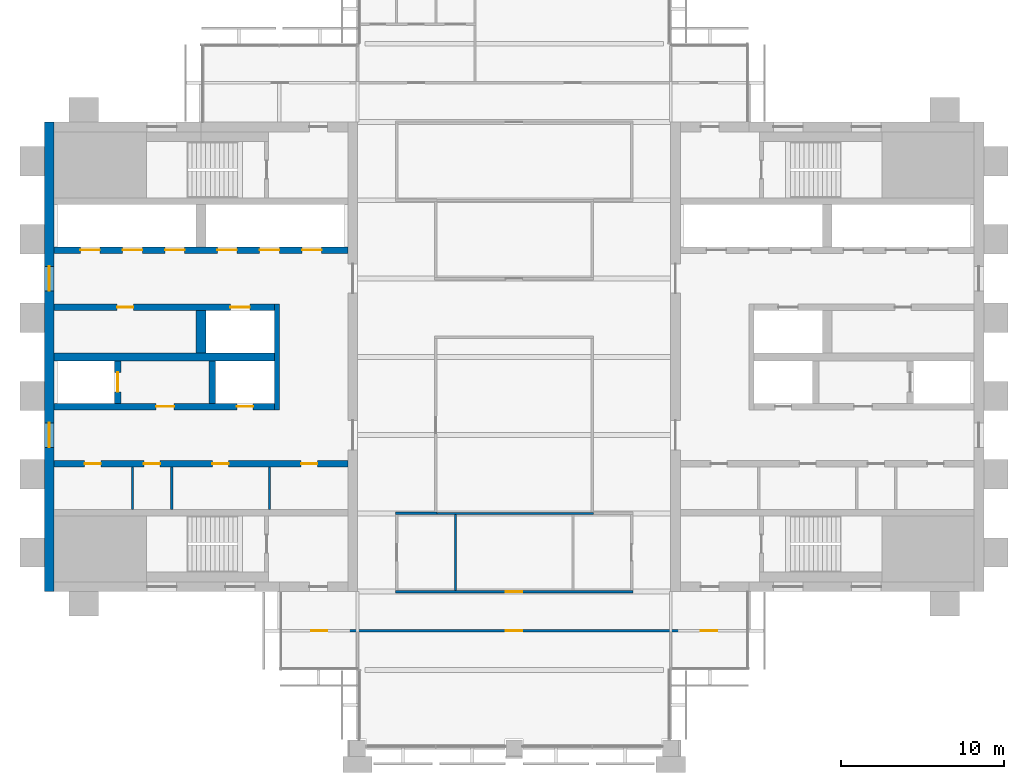
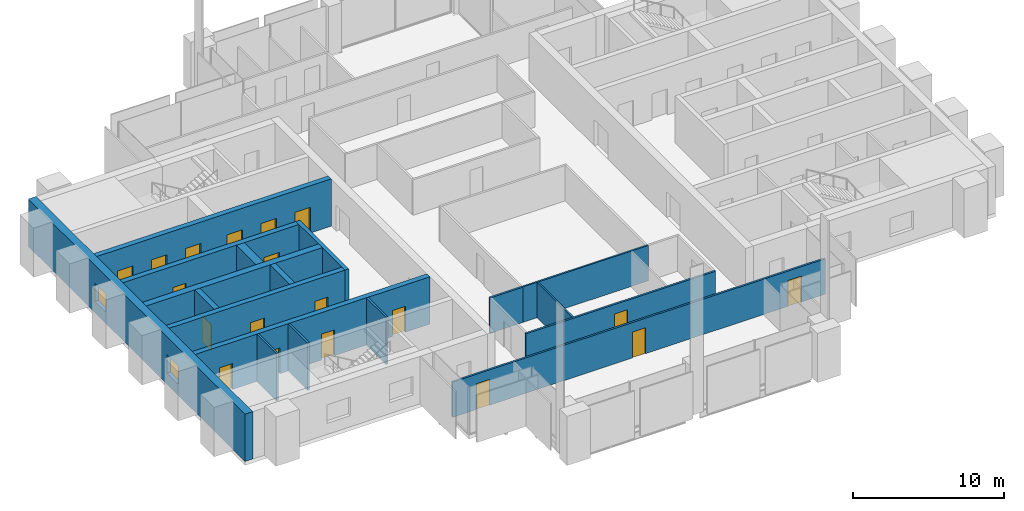
# One storey, part 8 of 12: 19 doors, 18 walls, 2 windows, 21 openings.
"""IFC4 building model written with IfcOpenShell, lengths in metres."""

from ifc_helpers import new_model, si_unit, direction, frame, frame_2d, origin, place, context, subcontext, project, spatial, rectangle, extrude, material, layer, layer_set, type_object, element, fill, save


model = new_model("IFC4")

# Units and contexts
model_context = context("Model", 3, precision=1e-05, world=origin(), true_north=direction((0.0, 1.0)))
body_context = subcontext(model_context, "Body", "Model", "MODEL_VIEW")
ifc_project = project(units=[si_unit("LENGTHUNIT", "METRE"), si_unit("AREAUNIT", "SQUARE_METRE"), si_unit("VOLUMEUNIT", "CUBIC_METRE"), si_unit("PLANEANGLEUNIT", "RADIAN"), si_unit("MASSUNIT", "GRAM", prefix="KILO")], contexts=[model_context])

# Site, building, storey
site_placement = place(None, origin())
site = spatial("IfcSite", under=ifc_project, at=site_placement, CompositionType="ELEMENT")
building_placement = place(site_placement, origin())
building = spatial("IfcBuilding", under=site, at=building_placement, Name="Baori Bourse Tower", CompositionType="ELEMENT")
storey_placement = place(building_placement, frame((0.0, 0.0, 282.300048828125)))
storey = spatial("IfcBuildingStorey", under=building, at=storey_placement, Name="L61", CompositionType="ELEMENT", Elevation=282.300048828125)

# Walls
ifc_material_1 = material(Name="Blockwork partition", Category="masonry")
ifc_layer_1 = layer(ifc_material_1, 0.14990234375)
ifc_layer_set_1 = layer_set([ifc_layer_1], Name="Core partition 150")
wall_type_1 = type_object("IfcWallType", Name="Core partition 150", PredefinedType="PARTITIONING", material=ifc_layer_set_1)
for number, where, z_axis, x_axis, name in (
    (1, (5.39990234375, 14.64990234375, 0.0), (0.0, 0.0, 1.0), (0.0, 1.0, 0.0), "Partition wall W09"),
    (2, (7.800048828125, 14.64990234375, 0.0), (0.0, 0.0, 1.0), (0.0, 1.0, 0.0), "Partition wall W10"),
    (3, (13.800048828125, 14.64990234375, 0.0), (0.0, 0.0, 1.0), (0.0, 1.0, 0.0), "Partition wall W11"),
):
    element("IfcWall", number, at=place(storey_placement, frame(where, z_axis=z_axis, x_axis=x_axis)), inside=storey, type_object=wall_type_1, Name=name, PredefinedType="PARTITIONING", context=body_context, shape_type="SweptSolid", body=[
        extrude(rectangle(XDim=2.60009765625, YDim=0.14990234375, at=frame_2d((1.300048828125, 0.0))), origin(), (0.0, 0.0, 1.0), 3.83984375),
    ])

# Wall, openings, windows
ifc_material_2 = material(Name="Concrete f'c 40 MPa", Category="concrete")
ifc_layer_2 = layer(ifc_material_2, 0.60009765625)
ifc_layer_set_2 = layer_set([ifc_layer_2], Name="Core wall 600 f'c 40")
wall_type_2 = type_object("IfcWallType", Name="Core wall 600 f'c 40", PredefinedType="SHEAR", material=ifc_layer_set_2)
wall_1_placement = place(storey_placement, frame((0.300048828125, 9.60009765625, 0.0), z_axis=(0.0, 0.0, 1.0), x_axis=(0.0, 1.0, 0.0)))
wall_1 = element("IfcWall", 4, at=wall_1_placement, inside=storey, type_object=wall_type_2, Name="Core wall W01", PredefinedType="SHEAR", context=body_context, shape_type="SweptSolid", body=[
    extrude(rectangle(XDim=28.7998046875, YDim=0.60009765625, at=frame_2d((14.39990234375, 0.0))), origin(), (0.0, 0.0, 1.0), 3.83984375),
])
opening_1_placement = place(wall_1_placement, frame((8.85009765625, 0.0, 0.89990234375)))
opening_1 = element("IfcOpeningElement", 5, at=opening_1_placement, cuts=wall_1, Name="Opening L61-KW101", PredefinedType="OPENING", context=body_context, shape_type="SweptSolid", body=[
    extrude(rectangle(XDim=1.5, YDim=1.5, at=frame_2d((0.75, 0.75))), frame((0.0, 0.31005859375, 0.0), z_axis=(0.0, -1.0, 0.0), x_axis=(1.0, 0.0, 0.0)), (0.0, 0.0, 1.0), 0.6201171875),
])
opening_2_placement = place(wall_1_placement, frame((18.449951171875, 0.0, 0.89990234375)))
opening_2 = element("IfcOpeningElement", 6, at=opening_2_placement, cuts=wall_1, Name="Opening L61-KW102", PredefinedType="OPENING", context=body_context, shape_type="SweptSolid", body=[
    extrude(rectangle(XDim=1.5, YDim=1.5, at=frame_2d((0.75, 0.75))), frame((0.0, 0.31005859375, 0.0), z_axis=(0.0, -1.0, 0.0), x_axis=(1.0, 0.0, 0.0)), (0.0, 0.0, 1.0), 0.6201171875),
])
ifc_material_3 = material(Name="Pale anodised aluminium", Category="aluminium")
window_type = type_object("IfcWindowType", Name="Lobby window 1500 x 1500", PartitioningType="SINGLE_PANEL", PredefinedType="WINDOW", material=ifc_material_3)
window_1_placement = place(opening_1_placement, origin())
window_1 = element("IfcWindow", 7, at=window_1_placement, inside=storey, type_object=window_type, Name="Outer wall window W L61 1", OverallHeight=1.5, OverallWidth=1.5, PartitioningType="SINGLE_PANEL", PredefinedType="WINDOW", context=body_context, shape_type="SweptSolid", body=[
    extrude(rectangle(XDim=1.5, YDim=1.5, at=frame_2d((0.75, 0.75))), frame((0.0, 0.030029296875, 0.0), z_axis=(0.0, -1.0, 0.0), x_axis=(1.0, 0.0, 0.0)), (0.0, 0.0, 1.0), 0.06005859375),
])
fill(opening_1, window_1)
window_2_placement = place(opening_2_placement, origin())
window_2 = element("IfcWindow", 8, at=window_2_placement, inside=storey, type_object=window_type, Name="Outer wall window W L61 2", OverallHeight=1.5, OverallWidth=1.5, PartitioningType="SINGLE_PANEL", PredefinedType="WINDOW", context=body_context, shape_type="SweptSolid", body=[
    extrude(rectangle(XDim=1.5, YDim=1.5, at=frame_2d((0.75, 0.75))), frame((0.0, 0.030029296875, 0.0), z_axis=(0.0, -1.0, 0.0), x_axis=(1.0, 0.0, 0.0)), (0.0, 0.0, 1.0), 0.06005859375),
])
fill(opening_2, window_2)

# Wall, openings, doors
ifc_material_4 = material(Name="Gypsum board partition")
ifc_layer_3 = layer(ifc_material_4, 0.14990234375)
ifc_layer_set_3 = layer_set([ifc_layer_3], Name="Corridor partition 150")
wall_type_3 = type_object("IfcWallType", Name="Corridor partition 150", PredefinedType="PARTITIONING", material=ifc_layer_set_3)
wall_2_placement = place(storey_placement, frame((14.5, 7.199951171875, 0.0), z_axis=(0.0, 0.0, 1.0), x_axis=(1.0, 0.0, 0.0)))
wall_2 = element("IfcWall", 9, at=wall_2_placement, inside=storey, type_object=wall_type_3, Name="Partition", PredefinedType="PARTITIONING", context=body_context, shape_type="SweptSolid", body=[
    extrude(rectangle(XDim=28.60009765625, YDim=0.14990234375, at=frame_2d((14.300048828125, 0.0))), origin(), (0.0, 0.0, 1.0), 2.86962890625),
])
opening_3_placement = place(wall_2_placement, frame((1.85009765625, 0.0, 0.0)))
opening_3 = element("IfcOpeningElement", 10, at=opening_3_placement, cuts=wall_2, Name="Opening L61-D01", PredefinedType="OPENING", context=body_context, shape_type="SweptSolid", body=[
    extrude(rectangle(XDim=1.0, YDim=2.10009765625, at=frame_2d((0.5, 1.050048828125))), frame((0.0, 0.0849609375, 0.0), z_axis=(0.0, -1.0, 0.0), x_axis=(1.0, 0.0, 0.0)), (0.0, 0.0, 1.0), 0.169921875),
])
opening_4_placement = place(wall_2_placement, frame((13.800048828125, 0.0, 0.0)))
opening_4 = element("IfcOpeningElement", 11, at=opening_4_placement, cuts=wall_2, Name="Opening L61-D02", PredefinedType="OPENING", context=body_context, shape_type="SweptSolid", body=[
    extrude(rectangle(XDim=1.0, YDim=2.10009765625, at=frame_2d((0.5, 1.050048828125))), frame((0.0, 0.0849609375, 0.0), z_axis=(0.0, -1.0, 0.0), x_axis=(1.0, 0.0, 0.0)), (0.0, 0.0, 1.0), 0.169921875),
])
opening_5_placement = place(wall_2_placement, frame((25.75, 0.0, 0.0)))
opening_5 = element("IfcOpeningElement", 12, at=opening_5_placement, cuts=wall_2, Name="Opening L61-D03", PredefinedType="OPENING", context=body_context, shape_type="SweptSolid", body=[
    extrude(rectangle(XDim=1.0, YDim=2.10009765625, at=frame_2d((0.5, 1.050048828125))), frame((0.0, 0.0849609375, 0.0), z_axis=(0.0, -1.0, 0.0), x_axis=(1.0, 0.0, 0.0)), (0.0, 0.0, 1.0), 0.169921875),
])
ifc_material_5 = material(Name="Timber door leaf", Category="wood")
door_type_1 = type_object("IfcDoorType", Name="Door 1000 x 2100", OperationType="SINGLE_SWING_LEFT", PredefinedType="DOOR", material=ifc_material_5)
door_1_placement = place(opening_3_placement, origin())
door_1 = element("IfcDoor", 13, at=door_1_placement, inside=storey, type_object=door_type_1, Name="Door", OperationType="SINGLE_SWING_LEFT", OverallHeight=2.10009765625, OverallWidth=1.0, PredefinedType="DOOR", context=body_context, shape_type="SweptSolid", body=[
    extrude(rectangle(XDim=1.0, YDim=2.10009765625, at=frame_2d((0.5, 1.050048828125))), frame((0.0, 0.02490234375, 0.0), z_axis=(0.0, -1.0, 0.0), x_axis=(1.0, 0.0, 0.0)), (0.0, 0.0, 1.0), 0.050048828125),
])
fill(opening_3, door_1)
door_2_placement = place(opening_4_placement, origin())
door_2 = element("IfcDoor", 14, at=door_2_placement, inside=storey, type_object=door_type_1, Name="Door", OperationType="SINGLE_SWING_LEFT", OverallHeight=2.10009765625, OverallWidth=1.0, PredefinedType="DOOR", context=body_context, shape_type="SweptSolid", body=[
    extrude(rectangle(XDim=1.0, YDim=2.10009765625, at=frame_2d((0.5, 1.050048828125))), frame((0.0, 0.02490234375, 0.0), z_axis=(0.0, -1.0, 0.0), x_axis=(1.0, 0.0, 0.0)), (0.0, 0.0, 1.0), 0.050048828125),
])
fill(opening_4, door_2)
door_3_placement = place(opening_5_placement, origin())
door_3 = element("IfcDoor", 15, at=door_3_placement, inside=storey, type_object=door_type_1, Name="Door", OperationType="SINGLE_SWING_RIGHT", OverallHeight=2.10009765625, OverallWidth=1.0, PredefinedType="DOOR", context=body_context, shape_type="SweptSolid", body=[
    extrude(rectangle(XDim=1.0, YDim=2.10009765625, at=frame_2d((0.5, 1.050048828125))), frame((0.0, 0.02490234375, 0.0), z_axis=(0.0, -1.0, 0.0), x_axis=(1.0, 0.0, 0.0)), (0.0, 0.0, 1.0), 0.050048828125),
])
fill(opening_5, door_3)

# Wall, opening, door
wall_3_placement = place(storey_placement, frame((21.52490234375, 9.60009765625, 0.0), z_axis=(0.0, 0.0, 1.0), x_axis=(1.0, 0.0, 0.0)))
wall_3 = element("IfcWall", 16, at=wall_3_placement, inside=storey, type_object=wall_type_3, Name="Partition", PredefinedType="PARTITIONING", context=body_context, shape_type="SweptSolid", body=[
    extrude(rectangle(XDim=14.550048828125, YDim=0.14990234375, at=frame_2d((7.27490234375, 0.0))), origin(), (0.0, 0.0, 1.0), 2.86962890625),
])
opening_6_placement = place(wall_3_placement, frame((6.77490234375, 0.0, 0.0)))
opening_6 = element("IfcOpeningElement", 17, at=opening_6_placement, cuts=wall_3, Name="Opening L61-D04", PredefinedType="OPENING", context=body_context, shape_type="SweptSolid", body=[
    extrude(rectangle(XDim=1.0, YDim=2.10009765625, at=frame_2d((0.5, 1.050048828125))), frame((0.0, 0.0849609375, 0.0), z_axis=(0.0, -1.0, 0.0), x_axis=(1.0, 0.0, 0.0)), (0.0, 0.0, 1.0), 0.169921875),
])
door_4_placement = place(opening_6_placement, origin())
door_4 = element("IfcDoor", 18, at=door_4_placement, inside=storey, type_object=door_type_1, Name="Door", OperationType="SINGLE_SWING_RIGHT", OverallHeight=2.10009765625, OverallWidth=1.0, PredefinedType="DOOR", context=body_context, shape_type="SweptSolid", body=[
    extrude(rectangle(XDim=1.0, YDim=2.10009765625, at=frame_2d((0.5, 1.050048828125))), frame((0.0, 0.02490234375, 0.0), z_axis=(0.0, -1.0, 0.0), x_axis=(1.0, 0.0, 0.0)), (0.0, 0.0, 1.0), 0.050048828125),
])
fill(opening_6, door_4)

# Walls
wall_4_placement = place(storey_placement, frame((21.52490234375, 14.39990234375, 0.0), z_axis=(0.0, 0.0, 1.0), x_axis=(1.0, 0.0, 0.0)))
element("IfcWall", 19, at=wall_4_placement, inside=storey, type_object=wall_type_3, Name="Partition", PredefinedType="PARTITIONING", context=body_context, shape_type="SweptSolid", body=[
    extrude(rectangle(XDim=2.550048828125, YDim=0.14990234375, at=frame_2d((1.27490234375, 0.0))), origin(), (0.0, 0.0, 1.0), 2.86962890625),
])
ifc_material_6 = material(Name="Gypsum board partition")
ifc_layer_4 = layer(ifc_material_6, 0.125)
ifc_layer_set_4 = layer_set([ifc_layer_4], Name="Partition 125")
wall_type_4 = type_object("IfcWallType", Name="Partition 125", PredefinedType="PARTITIONING", material=ifc_layer_set_4)
wall_5_placement = place(storey_placement, frame((24.074951171875, 14.39990234375, 0.0), z_axis=(0.0, 0.0, 1.0), x_axis=(1.0, 0.0, 0.0)))
element("IfcWall", 20, at=wall_5_placement, inside=storey, type_object=wall_type_4, Name="Partition", PredefinedType="PARTITIONING", context=body_context, shape_type="SweptSolid", body=[
    extrude(rectangle(XDim=9.60009765625, YDim=0.125, at=frame_2d((4.800048828125, 0.0))), origin(), (0.0, 0.0, 1.0), 2.86962890625),
])
wall_6_placement = place(storey_placement, frame((25.199951171875, 9.675048828125, 0.0), z_axis=(0.0, 0.0, 1.0), x_axis=(0.0, 1.0, 0.0)))
element("IfcWall", 21, at=wall_6_placement, inside=storey, type_object=wall_type_4, Name="Partition", PredefinedType="PARTITIONING", context=body_context, shape_type="SweptSolid", body=[
    extrude(rectangle(XDim=4.662353515625, YDim=0.125, at=frame_2d((2.3310546875, 0.0))), origin(), (0.0, 0.0, 1.0), 2.86962890625),
])
ifc_material_7 = material(Name="Concrete f'c 40 MPa", Category="concrete")
ifc_layer_5 = layer(ifc_material_7, 0.300048828125)
ifc_layer_set_5 = layer_set([ifc_layer_5], Name="Shaft wall 300 f'c 40")
wall_type_5 = type_object("IfcWallType", Name="Shaft wall 300 f'c 40", PredefinedType="SHEAR", material=ifc_layer_set_5)
wall_7_placement = place(storey_placement, frame((14.25, 20.75, 0.0), z_axis=(0.0, 0.0, 1.0), x_axis=(0.0, 1.0, 0.0)))
element("IfcWall", 22, at=wall_7_placement, inside=storey, type_object=wall_type_5, Name="Core wall W14", PredefinedType="SHEAR", context=body_context, shape_type="SweptSolid", body=[
    extrude(rectangle(XDim=6.5, YDim=0.300048828125, at=frame_2d((3.25, 0.0))), origin(), (0.0, 0.0, 1.0), 3.83984375),
])

# Wall, openings, doors
ifc_material_8 = material(Name="Concrete f'c 40 MPa", Category="concrete")
ifc_layer_6 = layer(ifc_material_8, 0.39990234375)
ifc_layer_set_6 = layer_set([ifc_layer_6], Name="Shaft wall 400 f'c 40")
wall_type_6 = type_object("IfcWallType", Name="Shaft wall 400 f'c 40", PredefinedType="SHEAR", material=ifc_layer_set_6)
wall_8_placement = place(storey_placement, frame((0.60009765625, 17.449951171875, 0.0), z_axis=(0.0, 0.0, 1.0), x_axis=(1.0, 0.0, 0.0)))
wall_8 = element("IfcWall", 23, at=wall_8_placement, inside=storey, type_object=wall_type_6, Name="Core wall W12", PredefinedType="SHEAR", context=body_context, shape_type="SweptSolid", body=[
    extrude(rectangle(XDim=18.0, YDim=0.39990234375, at=frame_2d((9.0, 0.0))), origin(), (0.0, 0.0, 1.0), 3.83984375),
])
opening_7_placement = place(wall_8_placement, frame((1.862548828125, 0.0, 0.0)))
opening_7 = element("IfcOpeningElement", 24, at=opening_7_placement, cuts=wall_8, Name="Opening L61-D109", PredefinedType="OPENING", context=body_context, shape_type="SweptSolid", body=[
    extrude(rectangle(XDim=1.0, YDim=2.10009765625, at=frame_2d((0.5, 1.050048828125))), frame((0.0, 0.2099609375, 0.0), z_axis=(0.0, -1.0, 0.0), x_axis=(1.0, 0.0, 0.0)), (0.0, 0.0, 1.0), 0.419921875),
])
opening_8_placement = place(wall_8_placement, frame((5.5, 0.0, 0.0)))
opening_8 = element("IfcOpeningElement", 25, at=opening_8_placement, cuts=wall_8, Name="Opening L61-D110", PredefinedType="OPENING", context=body_context, shape_type="SweptSolid", body=[
    extrude(rectangle(XDim=1.0, YDim=2.10009765625, at=frame_2d((0.5, 1.050048828125))), frame((0.0, 0.2099609375, 0.0), z_axis=(0.0, -1.0, 0.0), x_axis=(1.0, 0.0, 0.0)), (0.0, 0.0, 1.0), 0.419921875),
])
opening_9_placement = place(wall_8_placement, frame((9.699951171875, 0.0, 0.0)))
opening_9 = element("IfcOpeningElement", 26, at=opening_9_placement, cuts=wall_8, Name="Opening L61-D111", PredefinedType="OPENING", context=body_context, shape_type="SweptSolid", body=[
    extrude(rectangle(XDim=1.0, YDim=2.10009765625, at=frame_2d((0.5, 1.050048828125))), frame((0.0, 0.2099609375, 0.0), z_axis=(0.0, -1.0, 0.0), x_axis=(1.0, 0.0, 0.0)), (0.0, 0.0, 1.0), 0.419921875),
])
opening_10_placement = place(wall_8_placement, frame((15.137451171875, 0.0, 0.0)))
opening_10 = element("IfcOpeningElement", 27, at=opening_10_placement, cuts=wall_8, Name="Opening L61-D112", PredefinedType="OPENING", context=body_context, shape_type="SweptSolid", body=[
    extrude(rectangle(XDim=1.0, YDim=2.10009765625, at=frame_2d((0.5, 1.050048828125))), frame((0.0, 0.2099609375, 0.0), z_axis=(0.0, -1.0, 0.0), x_axis=(1.0, 0.0, 0.0)), (0.0, 0.0, 1.0), 0.419921875),
])
ifc_material_9 = material(Name="Painted steel door", Category="steel")
door_type_2 = type_object("IfcDoorType", Name="Core door 1000", OperationType="SINGLE_SWING_LEFT", PredefinedType="DOOR", material=ifc_material_9)
door_5_placement = place(opening_7_placement, origin())
door_5 = element("IfcDoor", 28, at=door_5_placement, inside=storey, type_object=door_type_2, Name="Women'S Wc door W L61", OperationType="SINGLE_SWING_LEFT", OverallHeight=2.10009765625, OverallWidth=1.0, PredefinedType="DOOR", context=body_context, shape_type="SweptSolid", body=[
    extrude(rectangle(XDim=1.0, YDim=2.10009765625, at=frame_2d((0.5, 1.050048828125))), frame((0.0, 0.02490234375, 0.0), z_axis=(0.0, -1.0, 0.0), x_axis=(1.0, 0.0, 0.0)), (0.0, 0.0, 1.0), 0.050048828125),
])
fill(opening_7, door_5)
door_6_placement = place(opening_8_placement, origin())
door_6 = element("IfcDoor", 29, at=door_6_placement, inside=storey, type_object=door_type_2, Name="Store Room door W L61", OperationType="SINGLE_SWING_LEFT", OverallHeight=2.10009765625, OverallWidth=1.0, PredefinedType="DOOR", context=body_context, shape_type="SweptSolid", body=[
    extrude(rectangle(XDim=1.0, YDim=2.10009765625, at=frame_2d((0.5, 1.050048828125))), frame((0.0, 0.02490234375, 0.0), z_axis=(0.0, -1.0, 0.0), x_axis=(1.0, 0.0, 0.0)), (0.0, 0.0, 1.0), 0.050048828125),
])
fill(opening_8, door_6)
door_7_placement = place(opening_9_placement, origin())
door_7 = element("IfcDoor", 30, at=door_7_placement, inside=storey, type_object=door_type_2, Name="Men'S Wc door W L61", OperationType="SINGLE_SWING_LEFT", OverallHeight=2.10009765625, OverallWidth=1.0, PredefinedType="DOOR", context=body_context, shape_type="SweptSolid", body=[
    extrude(rectangle(XDim=1.0, YDim=2.10009765625, at=frame_2d((0.5, 1.050048828125))), frame((0.0, 0.02490234375, 0.0), z_axis=(0.0, -1.0, 0.0), x_axis=(1.0, 0.0, 0.0)), (0.0, 0.0, 1.0), 0.050048828125),
])
fill(opening_9, door_7)
door_8_placement = place(opening_10_placement, origin())
door_8 = element("IfcDoor", 31, at=door_8_placement, inside=storey, type_object=door_type_2, Name="Accessible Wc door W L61", OperationType="SINGLE_SWING_LEFT", OverallHeight=2.10009765625, OverallWidth=1.0, PredefinedType="DOOR", context=body_context, shape_type="SweptSolid", body=[
    extrude(rectangle(XDim=1.0, YDim=2.10009765625, at=frame_2d((0.5, 1.050048828125))), frame((0.0, 0.02490234375, 0.0), z_axis=(0.0, -1.0, 0.0), x_axis=(1.0, 0.0, 0.0)), (0.0, 0.0, 1.0), 0.050048828125),
])
fill(opening_10, door_8)

wall_9_placement = place(storey_placement, frame((0.60009765625, 20.949951171875, 0.0), z_axis=(0.0, 0.0, 1.0), x_axis=(1.0, 0.0, 0.0)))
wall_9 = element("IfcWall", 32, at=wall_9_placement, inside=storey, type_object=wall_type_6, Name="Core wall W13", PredefinedType="SHEAR", context=body_context, shape_type="SweptSolid", body=[
    extrude(rectangle(XDim=13.5, YDim=0.39990234375, at=frame_2d((6.75, 0.0))), origin(), (0.0, 0.0, 1.0), 3.83984375),
])
opening_11_placement = place(wall_9_placement, frame((6.25, 0.0, 0.0)))
opening_11 = element("IfcOpeningElement", 33, at=opening_11_placement, cuts=wall_9, Name="Opening L61-D105", PredefinedType="OPENING", context=body_context, shape_type="SweptSolid", body=[
    extrude(rectangle(XDim=1.10009765625, YDim=2.10009765625, at=frame_2d((0.550048828125, 1.050048828125))), frame((0.0, 0.2099609375, 0.0), z_axis=(0.0, -1.0, 0.0), x_axis=(1.0, 0.0, 0.0)), (0.0, 0.0, 1.0), 0.419921875),
])
opening_12_placement = place(wall_9_placement, frame((11.199951171875, 0.0, 0.0)))
opening_12 = element("IfcOpeningElement", 34, at=opening_12_placement, cuts=wall_9, Name="Opening L61-D106", PredefinedType="OPENING", context=body_context, shape_type="SweptSolid", body=[
    extrude(rectangle(XDim=1.0, YDim=2.10009765625, at=frame_2d((0.5, 1.050048828125))), frame((0.0, 0.2099609375, 0.0), z_axis=(0.0, -1.0, 0.0), x_axis=(1.0, 0.0, 0.0)), (0.0, 0.0, 1.0), 0.419921875),
])
ifc_material_10 = material(Name="Painted steel door", Category="steel")
door_type_3 = type_object("IfcDoorType", Name="Lobby door 1100", OperationType="SINGLE_SWING_LEFT", PredefinedType="DOOR", material=ifc_material_10)
door_9_placement = place(opening_11_placement, origin())
door_9 = element("IfcDoor", 35, at=door_9_placement, inside=storey, type_object=door_type_3, Name="Firefighting lobby door W L61", OperationType="SINGLE_SWING_LEFT", OverallHeight=2.10009765625, OverallWidth=1.10009765625, PredefinedType="DOOR", context=body_context, shape_type="SweptSolid", body=[
    extrude(rectangle(XDim=1.10009765625, YDim=2.10009765625, at=frame_2d((0.550048828125, 1.050048828125))), frame((0.0, 0.02490234375, 0.0), z_axis=(0.0, -1.0, 0.0), x_axis=(1.0, 0.0, 0.0)), (0.0, 0.0, 1.0), 0.050048828125),
])
fill(opening_11, door_9)
ifc_material_11 = material(Name="Painted steel door", Category="steel")
door_type_4 = type_object("IfcDoorType", Name="Shaft door 1000", OperationType="SINGLE_SWING_LEFT", PredefinedType="DOOR", material=ifc_material_11)
door_10_placement = place(opening_12_placement, origin())
door_10 = element("IfcDoor", 36, at=door_10_placement, inside=storey, type_object=door_type_4, Name="Riser room door W L61", OperationType="SINGLE_SWING_LEFT", OverallHeight=2.10009765625, OverallWidth=1.0, PredefinedType="DOOR", context=body_context, shape_type="SweptSolid", body=[
    extrude(rectangle(XDim=1.0, YDim=2.10009765625, at=frame_2d((0.5, 1.050048828125))), frame((0.0, 0.02490234375, 0.0), z_axis=(0.0, -1.0, 0.0), x_axis=(1.0, 0.0, 0.0)), (0.0, 0.0, 1.0), 0.050048828125),
])
fill(opening_12, door_10)

# Wall, opening, door
wall_10_placement = place(storey_placement, frame((4.5, 21.14990234375, 0.0), z_axis=(0.0, 0.0, 1.0), x_axis=(0.0, 1.0, 0.0)))
wall_10 = element("IfcWall", 37, at=wall_10_placement, inside=storey, type_object=wall_type_6, Name="Core wall W15", PredefinedType="SHEAR", context=body_context, shape_type="SweptSolid", body=[
    extrude(rectangle(XDim=2.60009765625, YDim=0.39990234375, at=frame_2d((1.300048828125, 0.0))), origin(), (0.0, 0.0, 1.0), 3.83984375),
])
opening_13_placement = place(wall_10_placement, frame((0.699951171875, 0.0, 0.0)))
opening_13 = element("IfcOpeningElement", 38, at=opening_13_placement, cuts=wall_10, Name="Opening L61-D121", PredefinedType="OPENING", context=body_context, shape_type="SweptSolid", body=[
    extrude(rectangle(XDim=1.199951171875, YDim=2.10009765625, at=frame_2d((0.60009765625, 1.050048828125))), frame((0.0, 0.2099609375, 0.0), z_axis=(0.0, -1.0, 0.0), x_axis=(1.0, 0.0, 0.0)), (0.0, 0.0, 1.0), 0.419921875),
])
ifc_material_12 = material(Name="Stainless steel door", Category="steel")
door_type_5 = type_object("IfcDoorType", Name="Lift landing door", OperationType="DOUBLE_DOOR_SLIDING", PredefinedType="DOOR", material=ifc_material_12)
door_11_placement = place(opening_13_placement, origin())
door_11 = element("IfcDoor", 39, at=door_11_placement, inside=storey, type_object=door_type_5, Name="Lift landing door FF1 W L61", OperationType="DOUBLE_DOOR_SLIDING", OverallHeight=2.10009765625, OverallWidth=1.199951171875, PredefinedType="DOOR", context=body_context, shape_type="SweptSolid", body=[
    extrude(rectangle(XDim=1.199951171875, YDim=2.10009765625, at=frame_2d((0.60009765625, 1.050048828125))), frame((0.0, 0.02490234375, 0.0), z_axis=(0.0, -1.0, 0.0), x_axis=(1.0, 0.0, 0.0)), (0.0, 0.0, 1.0), 0.050048828125),
])
fill(opening_13, door_11)

# Wall
wall_11_placement = place(storey_placement, frame((10.300048828125, 21.14990234375, 0.0), z_axis=(0.0, 0.0, 1.0), x_axis=(0.0, 1.0, 0.0)))
element("IfcWall", 40, at=wall_11_placement, inside=storey, type_object=wall_type_6, Name="Core wall W16", PredefinedType="SHEAR", context=body_context, shape_type="SweptSolid", body=[
    extrude(rectangle(XDim=2.60009765625, YDim=0.39990234375, at=frame_2d((1.300048828125, 0.0))), origin(), (0.0, 0.0, 1.0), 3.83984375),
])

# Wall, openings, doors
wall_12_placement = place(storey_placement, frame((0.60009765625, 27.050048828125, 0.0), z_axis=(0.0, 0.0, 1.0), x_axis=(1.0, 0.0, 0.0)))
wall_12 = element("IfcWall", 41, at=wall_12_placement, inside=storey, type_object=wall_type_6, Name="Core wall W19", PredefinedType="SHEAR", context=body_context, shape_type="SweptSolid", body=[
    extrude(rectangle(XDim=13.5, YDim=0.39990234375, at=frame_2d((6.75, 0.0))), origin(), (0.0, 0.0, 1.0), 3.83984375),
])
opening_14_placement = place(wall_12_placement, frame((3.85009765625, 0.0, 0.0)))
opening_14 = element("IfcOpeningElement", 42, at=opening_14_placement, cuts=wall_12, Name="Opening L61-D113", PredefinedType="OPENING", context=body_context, shape_type="SweptSolid", body=[
    extrude(rectangle(XDim=1.0, YDim=2.10009765625, at=frame_2d((0.5, 1.050048828125))), frame((0.0, 0.2099609375, 0.0), z_axis=(0.0, -1.0, 0.0), x_axis=(1.0, 0.0, 0.0)), (0.0, 0.0, 1.0), 0.419921875),
])
opening_15_placement = place(wall_12_placement, frame((10.800048828125, 0.0, 0.0)))
opening_15 = element("IfcOpeningElement", 43, at=opening_15_placement, cuts=wall_12, Name="Opening L61-D120", PredefinedType="OPENING", context=body_context, shape_type="SweptSolid", body=[
    extrude(rectangle(XDim=1.199951171875, YDim=2.10009765625, at=frame_2d((0.60009765625, 1.050048828125))), frame((0.0, 0.2099609375, 0.0), z_axis=(0.0, -1.0, 0.0), x_axis=(1.0, 0.0, 0.0)), (0.0, 0.0, 1.0), 0.419921875),
])
door_12_placement = place(opening_14_placement, origin())
door_12 = element("IfcDoor", 44, at=door_12_placement, inside=storey, type_object=door_type_2, Name="Recycling Room door W L61", OperationType="SINGLE_SWING_LEFT", OverallHeight=2.10009765625, OverallWidth=1.0, PredefinedType="DOOR", context=body_context, shape_type="SweptSolid", body=[
    extrude(rectangle(XDim=1.0, YDim=2.10009765625, at=frame_2d((0.5, 1.050048828125))), frame((0.0, 0.02490234375, 0.0), z_axis=(0.0, -1.0, 0.0), x_axis=(1.0, 0.0, 0.0)), (0.0, 0.0, 1.0), 0.050048828125),
])
fill(opening_14, door_12)
door_13_placement = place(opening_15_placement, origin())
door_13 = element("IfcDoor", 45, at=door_13_placement, inside=storey, type_object=door_type_5, Name="Lift landing door SV1 W L61", OperationType="DOUBLE_DOOR_SLIDING", OverallHeight=2.10009765625, OverallWidth=1.199951171875, PredefinedType="DOOR", context=body_context, shape_type="SweptSolid", body=[
    extrude(rectangle(XDim=1.199951171875, YDim=2.10009765625, at=frame_2d((0.60009765625, 1.050048828125))), frame((0.0, 0.02490234375, 0.0), z_axis=(0.0, -1.0, 0.0), x_axis=(1.0, 0.0, 0.0)), (0.0, 0.0, 1.0), 0.050048828125),
])
fill(opening_15, door_13)

wall_13_placement = place(storey_placement, frame((0.60009765625, 30.550048828125, 0.0), z_axis=(0.0, 0.0, 1.0), x_axis=(1.0, 0.0, 0.0)))
wall_13 = element("IfcWall", 46, at=wall_13_placement, inside=storey, type_object=wall_type_6, Name="Core wall W20", PredefinedType="SHEAR", context=body_context, shape_type="SweptSolid", body=[
    extrude(rectangle(XDim=18.0, YDim=0.39990234375, at=frame_2d((9.0, 0.0))), origin(), (0.0, 0.0, 1.0), 3.83984375),
])
opening_16_placement = place(wall_13_placement, frame((1.60009765625, 0.0, 0.0)))
opening_16 = element("IfcOpeningElement", 47, at=opening_16_placement, cuts=wall_13, Name="Opening L61-D114", PredefinedType="OPENING", context=body_context, shape_type="SweptSolid", body=[
    extrude(rectangle(XDim=1.199951171875, YDim=2.10009765625, at=frame_2d((0.60009765625, 1.050048828125))), frame((0.0, 0.2099609375, 0.0), z_axis=(0.0, -1.0, 0.0), x_axis=(1.0, 0.0, 0.0)), (0.0, 0.0, 1.0), 0.419921875),
])
opening_17_placement = place(wall_13_placement, frame((4.199951171875, 0.0, 0.0)))
opening_17 = element("IfcOpeningElement", 48, at=opening_17_placement, cuts=wall_13, Name="Opening L61-D115", PredefinedType="OPENING", context=body_context, shape_type="SweptSolid", body=[
    extrude(rectangle(XDim=1.199951171875, YDim=2.10009765625, at=frame_2d((0.60009765625, 1.050048828125))), frame((0.0, 0.2099609375, 0.0), z_axis=(0.0, -1.0, 0.0), x_axis=(1.0, 0.0, 0.0)), (0.0, 0.0, 1.0), 0.419921875),
])
opening_18_placement = place(wall_13_placement, frame((6.800048828125, 0.0, 0.0)))
opening_18 = element("IfcOpeningElement", 49, at=opening_18_placement, cuts=wall_13, Name="Opening L61-D116", PredefinedType="OPENING", context=body_context, shape_type="SweptSolid", body=[
    extrude(rectangle(XDim=1.199951171875, YDim=2.10009765625, at=frame_2d((0.60009765625, 1.050048828125))), frame((0.0, 0.2099609375, 0.0), z_axis=(0.0, -1.0, 0.0), x_axis=(1.0, 0.0, 0.0)), (0.0, 0.0, 1.0), 0.419921875),
])
opening_19_placement = place(wall_13_placement, frame((10.0, 0.0, 0.0)))
opening_19 = element("IfcOpeningElement", 50, at=opening_19_placement, cuts=wall_13, Name="Opening L61-D117", PredefinedType="OPENING", context=body_context, shape_type="SweptSolid", body=[
    extrude(rectangle(XDim=1.199951171875, YDim=2.10009765625, at=frame_2d((0.60009765625, 1.050048828125))), frame((0.0, 0.2099609375, 0.0), z_axis=(0.0, -1.0, 0.0), x_axis=(1.0, 0.0, 0.0)), (0.0, 0.0, 1.0), 0.419921875),
])
opening_20_placement = place(wall_13_placement, frame((12.60009765625, 0.0, 0.0)))
opening_20 = element("IfcOpeningElement", 51, at=opening_20_placement, cuts=wall_13, Name="Opening L61-D118", PredefinedType="OPENING", context=body_context, shape_type="SweptSolid", body=[
    extrude(rectangle(XDim=1.199951171875, YDim=2.10009765625, at=frame_2d((0.60009765625, 1.050048828125))), frame((0.0, 0.2099609375, 0.0), z_axis=(0.0, -1.0, 0.0), x_axis=(1.0, 0.0, 0.0)), (0.0, 0.0, 1.0), 0.419921875),
])
opening_21_placement = place(wall_13_placement, frame((15.199951171875, 0.0, 0.0)))
opening_21 = element("IfcOpeningElement", 52, at=opening_21_placement, cuts=wall_13, Name="Opening L61-D119", PredefinedType="OPENING", context=body_context, shape_type="SweptSolid", body=[
    extrude(rectangle(XDim=1.199951171875, YDim=2.10009765625, at=frame_2d((0.60009765625, 1.050048828125))), frame((0.0, 0.2099609375, 0.0), z_axis=(0.0, -1.0, 0.0), x_axis=(1.0, 0.0, 0.0)), (0.0, 0.0, 1.0), 0.419921875),
])
door_14_placement = place(opening_16_placement, origin())
door_14 = element("IfcDoor", 53, at=door_14_placement, inside=storey, type_object=door_type_5, Name="Lift landing door HR1 W L61", OperationType="DOUBLE_DOOR_SLIDING", OverallHeight=2.10009765625, OverallWidth=1.199951171875, PredefinedType="DOOR", context=body_context, shape_type="SweptSolid", body=[
    extrude(rectangle(XDim=1.199951171875, YDim=2.10009765625, at=frame_2d((0.60009765625, 1.050048828125))), frame((0.0, 0.02490234375, 0.0), z_axis=(0.0, -1.0, 0.0), x_axis=(1.0, 0.0, 0.0)), (0.0, 0.0, 1.0), 0.050048828125),
])
fill(opening_16, door_14)
door_15_placement = place(opening_17_placement, origin())
door_15 = element("IfcDoor", 54, at=door_15_placement, inside=storey, type_object=door_type_5, Name="Lift landing door HR2 W L61", OperationType="DOUBLE_DOOR_SLIDING", OverallHeight=2.10009765625, OverallWidth=1.199951171875, PredefinedType="DOOR", context=body_context, shape_type="SweptSolid", body=[
    extrude(rectangle(XDim=1.199951171875, YDim=2.10009765625, at=frame_2d((0.60009765625, 1.050048828125))), frame((0.0, 0.02490234375, 0.0), z_axis=(0.0, -1.0, 0.0), x_axis=(1.0, 0.0, 0.0)), (0.0, 0.0, 1.0), 0.050048828125),
])
fill(opening_17, door_15)
door_16_placement = place(opening_18_placement, origin())
door_16 = element("IfcDoor", 55, at=door_16_placement, inside=storey, type_object=door_type_5, Name="Lift landing door HR3 W L61", OperationType="DOUBLE_DOOR_SLIDING", OverallHeight=2.10009765625, OverallWidth=1.199951171875, PredefinedType="DOOR", context=body_context, shape_type="SweptSolid", body=[
    extrude(rectangle(XDim=1.199951171875, YDim=2.10009765625, at=frame_2d((0.60009765625, 1.050048828125))), frame((0.0, 0.02490234375, 0.0), z_axis=(0.0, -1.0, 0.0), x_axis=(1.0, 0.0, 0.0)), (0.0, 0.0, 1.0), 0.050048828125),
])
fill(opening_18, door_16)
door_17_placement = place(opening_19_placement, origin())
door_17 = element("IfcDoor", 56, at=door_17_placement, inside=storey, type_object=door_type_5, Name="Lift landing door HR4 W L61", OperationType="DOUBLE_DOOR_SLIDING", OverallHeight=2.10009765625, OverallWidth=1.199951171875, PredefinedType="DOOR", context=body_context, shape_type="SweptSolid", body=[
    extrude(rectangle(XDim=1.199951171875, YDim=2.10009765625, at=frame_2d((0.60009765625, 1.050048828125))), frame((0.0, 0.02490234375, 0.0), z_axis=(0.0, -1.0, 0.0), x_axis=(1.0, 0.0, 0.0)), (0.0, 0.0, 1.0), 0.050048828125),
])
fill(opening_19, door_17)
door_18_placement = place(opening_20_placement, origin())
door_18 = element("IfcDoor", 57, at=door_18_placement, inside=storey, type_object=door_type_5, Name="Lift landing door HR5 W L61", OperationType="DOUBLE_DOOR_SLIDING", OverallHeight=2.10009765625, OverallWidth=1.199951171875, PredefinedType="DOOR", context=body_context, shape_type="SweptSolid", body=[
    extrude(rectangle(XDim=1.199951171875, YDim=2.10009765625, at=frame_2d((0.60009765625, 1.050048828125))), frame((0.0, 0.02490234375, 0.0), z_axis=(0.0, -1.0, 0.0), x_axis=(1.0, 0.0, 0.0)), (0.0, 0.0, 1.0), 0.050048828125),
])
fill(opening_20, door_18)
door_19_placement = place(opening_21_placement, origin())
door_19 = element("IfcDoor", 58, at=door_19_placement, inside=storey, type_object=door_type_5, Name="Lift landing door HR6 W L61", OperationType="DOUBLE_DOOR_SLIDING", OverallHeight=2.10009765625, OverallWidth=1.199951171875, PredefinedType="DOOR", context=body_context, shape_type="SweptSolid", body=[
    extrude(rectangle(XDim=1.199951171875, YDim=2.10009765625, at=frame_2d((0.60009765625, 1.050048828125))), frame((0.0, 0.02490234375, 0.0), z_axis=(0.0, -1.0, 0.0), x_axis=(1.0, 0.0, 0.0)), (0.0, 0.0, 1.0), 0.050048828125),
])
fill(opening_21, door_19)

# Walls
ifc_material_13 = material(Name="Concrete f'c 40 MPa", Category="concrete")
ifc_layer_7 = layer(ifc_material_13, 0.5)
ifc_layer_set_7 = layer_set([ifc_layer_7], Name="Shaft wall 500 f'c 40")
wall_type_7 = type_object("IfcWallType", Name="Shaft wall 500 f'c 40", PredefinedType="SHEAR", material=ifc_layer_set_7)
wall_14_placement = place(storey_placement, frame((0.60009765625, 24.0, 0.0), z_axis=(0.0, 0.0, 1.0), x_axis=(1.0, 0.0, 0.0)))
element("IfcWall", 59, at=wall_14_placement, inside=storey, type_object=wall_type_7, Name="Core wall W17", PredefinedType="SHEAR", context=body_context, shape_type="SweptSolid", body=[
    extrude(rectangle(XDim=13.5, YDim=0.5, at=frame_2d((6.75, 0.0))), origin(), (0.0, 0.0, 1.0), 3.83984375),
])
ifc_material_14 = material(Name="Concrete f'c 40 MPa", Category="concrete")
ifc_layer_8 = layer(ifc_material_14, 0.60009765625)
ifc_layer_set_8 = layer_set([ifc_layer_8], Name="Shaft wall 600 f'c 40")
wall_type_8 = type_object("IfcWallType", Name="Shaft wall 600 f'c 40", PredefinedType="SHEAR", material=ifc_layer_set_8)
wall_15_placement = place(storey_placement, frame((9.60009765625, 24.25, 0.0), z_axis=(0.0, 0.0, 1.0), x_axis=(0.0, 1.0, 0.0)))
element("IfcWall", 60, at=wall_15_placement, inside=storey, type_object=wall_type_8, Name="Core wall W18", PredefinedType="SHEAR", context=body_context, shape_type="SweptSolid", body=[
    extrude(rectangle(XDim=2.60009765625, YDim=0.60009765625, at=frame_2d((1.300048828125, 0.0))), origin(), (0.0, 0.0, 1.0), 3.83984375),
])

save(model, "model.ifc")
